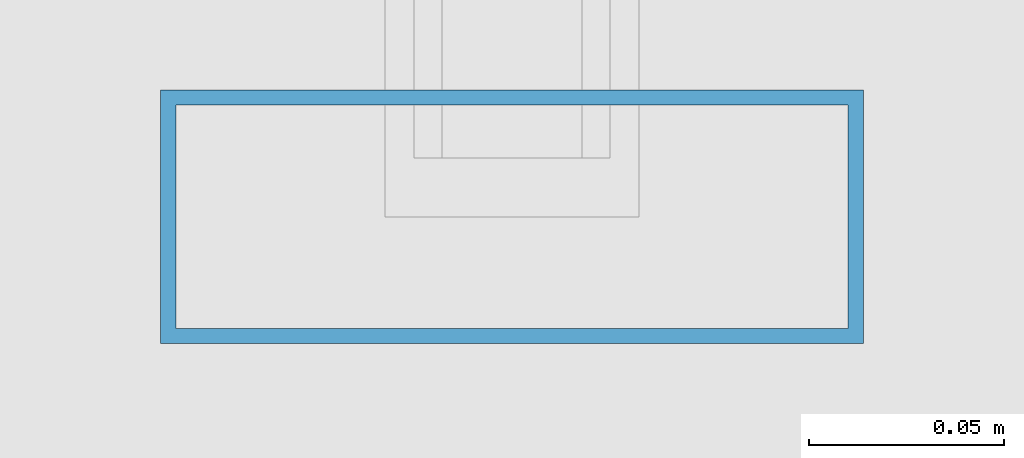
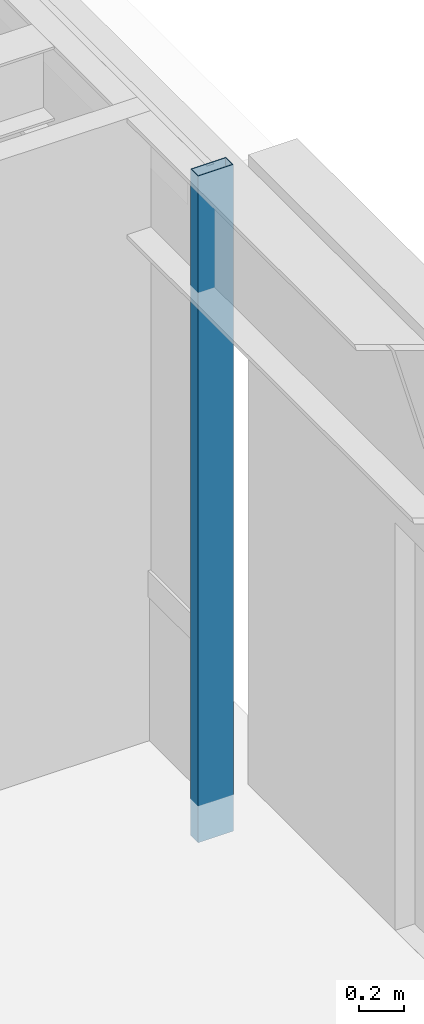
# One storey, part 15 of 31: 1 member, 1 element without a shape of its own.
"""IFC4 building model written with IfcOpenShell, lengths in metres."""

from ifc_helpers import new_model, si_unit, direction, frame, origin, origin_2d, place, context, subcontext, project, spatial, hollow_rectangle, extrude, material, layer, layer_set, material_profile, profile_set, type_object, element, aggregate, save


model = new_model("IFC4")

# Units and contexts
model_context = context("Model", 3, precision=1e-05, world=origin(), true_north=direction((0.0, 1.0)))
body_context = subcontext(model_context, "Body", "Model", "MODEL_VIEW")
ifc_project = project(units=[si_unit("LENGTHUNIT", "METRE"), si_unit("AREAUNIT", "SQUARE_METRE"), si_unit("VOLUMEUNIT", "CUBIC_METRE"), si_unit("PLANEANGLEUNIT", "RADIAN"), si_unit("MASSUNIT", "GRAM", prefix="KILO")], contexts=[model_context])

# Site, building, storey
site_placement = place(None, origin())
site = spatial("IfcSite", under=ifc_project, at=site_placement, CompositionType="ELEMENT")
building_placement = place(site_placement, origin())
building = spatial("IfcBuilding", under=site, at=building_placement, Name="Brelmoor Portico Tower", CompositionType="ELEMENT")
storey_placement = place(building_placement, frame((0.0, 0.0, 113.39990234375)))
storey = spatial("IfcBuildingStorey", under=building, at=storey_placement, Name="L29", CompositionType="ELEMENT", Elevation=113.39990234375)

# Curtain wall, member
ifc_material = material(Name="Anodised Aluminium Alloy 6063-T6", Category="aluminium")
ifc_layer = layer(ifc_material, 0.179931640625)
ifc_layer_set = layer_set([ifc_layer], Name="Anodised Aluminium Alloy 6063-T6")
curtain_wall_type = type_object("IfcCurtainWallType", Name="CW-TOWER-Z2", PredefinedType="NOTDEFINED", material=ifc_layer_set)
curtain_wall_placement = place(storey_placement, origin())
curtain_wall = element("IfcCurtainWall", 1, at=curtain_wall_placement, inside=storey, type_object=curtain_wall_type, Name="L29 Curtain Wall CW-L29-4R-1", PredefinedType="NOTDEFINED")
ifc_material_profile = material_profile(ifc_material, hollow_rectangle(XDim=0.06494140625, YDim=0.179931640625, WallThickness=0.00390625, at=origin_2d()), Name="ALU MULLION 65x180")
ifc_profile_set = profile_set([ifc_material_profile], Name="Anodised Aluminium Alloy 6063-T6")
member_type = type_object("IfcMemberType", Name="MB-CW-MULL-180", PredefinedType="MULLION", material=ifc_profile_set)
member_placement = place(storey_placement, frame((22.550048828125, -4.5, -0.199951171875), z_axis=(0.0, 0.0, 1.0), x_axis=(0.0, 1.0, 0.0)))
member = element("IfcMember", 2, at=member_placement, type_object=member_type, Name="CW-L29-4R-1 Mullion 00", PredefinedType="MULLION", context=body_context, shape_type="SweptSolid", body=[
    extrude(hollow_rectangle(XDim=0.06494140625, YDim=0.179931640625, WallThickness=0.00390625, at=origin_2d()), origin(), (0.0, 0.0, 1.0), 3.60009765625),
])
aggregate(curtain_wall, [member])

save(model, "model.ifc")
